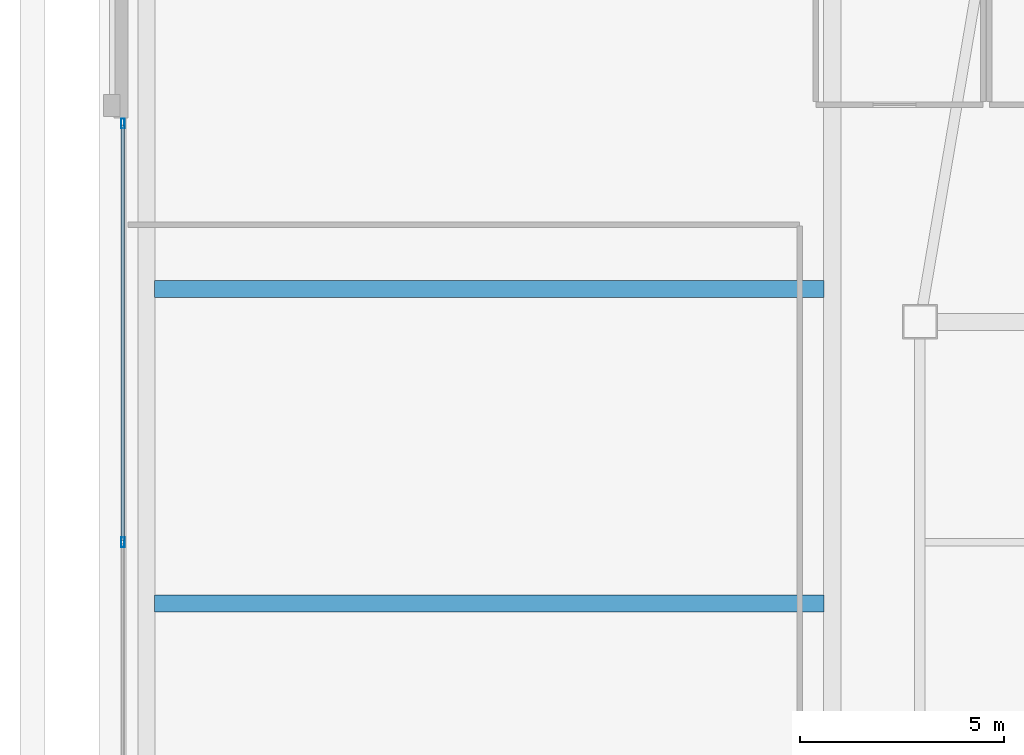
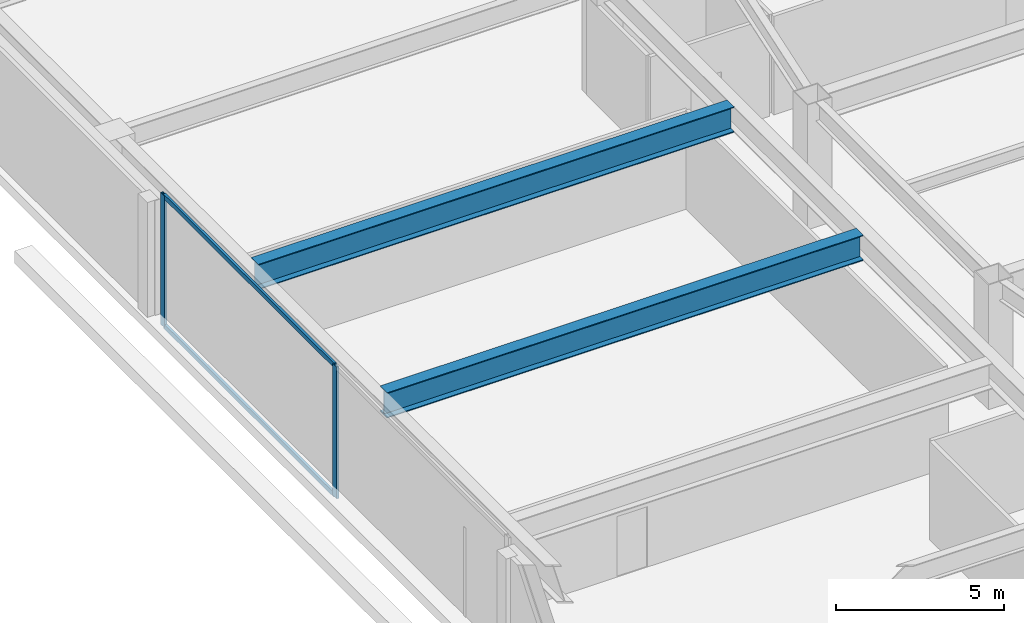
# One storey, part 12 of 44: 4 members, 2 beams, 1 element without a shape of its own.
"""IFC4 building model written with IfcOpenShell, lengths in metres."""

import ifcopenshell
import ifcopenshell.guid

model = None  # the IFC model being written
_history = None  # IfcOwnerHistory: only IFC2X3 demands one
_inside = {}  # id of a spatial element -> (the spatial element, [elements in it])
_under = {}  # id of a project, library or spatial element -> (it, [spatial elements below it])
_declared = {}  # id of a project -> (the project, [libraries it declares])
_typed = {}  # id of a type object -> (the type object, [elements of that type])
_made_of = {}  # id of a material, layer set ... -> (it, [elements and type objects made of it])


def new_model(schema):
    """Start an empty IFC model of exactly this schema.

    Asked for "IFC4X3", IfcOpenShell would pick the latest addendum, in which some entities
    have other attributes; the version numbers below select the first issue.
    IFC2X3 requires an IfcOwnerHistory on every rooted entity: one is made here for all.
    """
    global model, _history
    if schema == "IFC4X3":
        model = ifcopenshell.file(schema_version=(4, 3, 0, 0))
    else:
        model = ifcopenshell.file(schema=schema)
    _inside.clear()
    _under.clear()
    _declared.clear()
    _typed.clear()
    _made_of.clear()
    _history = None
    if model.schema == "IFC2X3":
        org = make("IfcOrganization", Name="unknown")
        user = make(
            "IfcPersonAndOrganization",
            ThePerson=make("IfcPerson", FamilyName="unknown"),
            TheOrganization=org,
        )
        app = make(
            "IfcApplication",
            ApplicationDeveloper=org,
            Version="unknown",
            ApplicationFullName="unknown",
            ApplicationIdentifier="unknown",
        )
        _history = make(
            "IfcOwnerHistory",
            OwningUser=user,
            OwningApplication=app,
            ChangeAction="ADDED",
            CreationDate=0,
        )
    return model


def make(cls, **values):
    """One entity of the class cls with the attributes given. An attribute that is None is left unset."""
    return model.create_entity(
        cls, **{name: value for name, value in values.items() if value is not None}
    )


def rooted(cls, **values):
    """An entity with a GlobalId (a new one), such as an element, a storey or a relation."""
    return make(cls, GlobalId=ifcopenshell.guid.new(), OwnerHistory=_history, **values)


def si_unit(unit_type, name, prefix=None):
    """IfcSIUnit, for example si_unit("LENGTHUNIT", "METRE", prefix="MILLI")."""
    return make("IfcSIUnit", UnitType=unit_type, Prefix=prefix, Name=name)


def assignment(units):
    """IfcUnitAssignment: the units of a project."""
    return None if units is None else make("IfcUnitAssignment", Units=units)


def point(xyz):
    """IfcCartesianPoint."""
    return None if xyz is None else make("IfcCartesianPoint", Coordinates=xyz)


def direction(xyz):
    """IfcDirection."""
    return None if xyz is None else make("IfcDirection", DirectionRatios=xyz)


def frame(location, z_axis=None, x_axis=None):
    """IfcAxis2Placement3D, a coordinate frame: its origin and axes. An axis left out is left unset."""
    return make(
        "IfcAxis2Placement3D",
        Location=point(location),
        Axis=direction(z_axis),
        RefDirection=direction(x_axis),
    )


def frame_2d(location, x_axis=None):
    """IfcAxis2Placement2D, a coordinate frame in the plane: its origin and x axis."""
    return make(
        "IfcAxis2Placement2D", Location=point(location), RefDirection=direction(x_axis)
    )


def origin():
    """The frame at (0, 0, 0) with its axes left unset."""
    return frame((0.0, 0.0, 0.0))


def origin_2d():
    """The frame at (0, 0) in the plane with its x axis left unset."""
    return frame_2d((0.0, 0.0))


def place(relative_to, where):
    """IfcLocalPlacement: puts the frame where relative to a parent placement (None: the world)."""
    return make(
        "IfcLocalPlacement", PlacementRelTo=relative_to, RelativePlacement=where
    )


def context(
    kind, dimensions, precision=None, world=None, true_north=None, identifier=None
):
    """IfcGeometricRepresentationContext, for example the 3D "Model" context."""
    return make(
        "IfcGeometricRepresentationContext",
        ContextIdentifier=identifier,
        ContextType=kind,
        CoordinateSpaceDimension=dimensions,
        Precision=precision,
        WorldCoordinateSystem=world,
        TrueNorth=true_north,
    )


def subcontext(parent, identifier, kind, view, scale=None):
    """IfcGeometricRepresentationSubContext, for example "Body" below "Model"."""
    return make(
        "IfcGeometricRepresentationSubContext",
        ContextIdentifier=identifier,
        ContextType=kind,
        ParentContext=parent,
        TargetScale=scale,
        TargetView=view,
    )


def project(units=None, contexts=None):
    """IfcProject with its units and contexts."""
    return rooted(
        "IfcProject",
        Name="project",
        RepresentationContexts=contexts,
        UnitsInContext=assignment(units),
    )


def spatial(cls, under=None, at=None, **own):
    """A site, building, storey or space (cls), placed at a placement, below another one or the project."""
    s = rooted(cls, ObjectPlacement=at, **own)
    if under is not None:
        _under.setdefault(under.id(), (under, []))[1].append(s)
    return s


def profile(cls, at=None, kind="AREA", **sizes):
    """A parametric profile (cls). Its sizes go by their IFC names, for example OverallWidth=200.0."""
    return make(cls, ProfileType=kind, Position=at, **sizes)


def hollow_rectangle(**sizes):
    """IfcRectangleHollowProfileDef."""
    return profile("IfcRectangleHollowProfileDef", **sizes)


def i_section(**sizes):
    """IfcIShapeProfileDef."""
    return profile("IfcIShapeProfileDef", **sizes)


def extrude(swept, where, along, depth):
    """IfcExtrudedAreaSolid: the profile swept, set in the frame where, extruded along a direction by depth."""
    return make(
        "IfcExtrudedAreaSolid",
        SweptArea=swept,
        Position=where,
        ExtrudedDirection=direction(along),
        Depth=depth,
    )


def shape(context_of_items, identifier, shape_type, items):
    """IfcShapeRepresentation: the items that make up one representation, for example the "Body"."""
    return make(
        "IfcShapeRepresentation",
        ContextOfItems=context_of_items,
        RepresentationIdentifier=identifier,
        RepresentationType=shape_type,
        Items=items,
    )


def material(Name=None, Category=None):
    """IfcMaterial."""
    return make("IfcMaterial", Name=Name, Category=Category)


def material_profile(
    of_material, cross_section, Name=None, Category=None, Priority=None
):
    """IfcMaterialProfile: a cross section and its material."""
    return make(
        "IfcMaterialProfile",
        Name=Name,
        Material=of_material,
        Profile=cross_section,
        Priority=Priority,
        Category=Category,
    )


def profile_set(profiles, Name=None, composite=None):
    """IfcMaterialProfileSet."""
    return make(
        "IfcMaterialProfileSet",
        Name=Name,
        MaterialProfiles=profiles,
        CompositeProfile=composite,
    )


def made_of(thing, what):
    """Note that an element or type object is made of a material, layer set ...; save() writes the relation."""
    if what is not None:
        _made_of.setdefault(what.id(), (what, []))[1].append(thing)
    return thing


def type_object(cls, material=None, **own):
    """A type object (cls), such as IfcWallType, which elements share."""
    return made_of(rooted(cls, **own), material)


def element(
    cls,
    number,
    at=None,
    inside=None,
    cuts=None,
    type_object=None,
    material=None,
    context=None,
    identifier="Body",
    shape_type=None,
    held_by="IfcProductDefinitionShape",
    body=None,
    shapes=None,
    **own,
):
    """One element of the class cls, such as IfcWall. Its Tag is "e" and its number.

    at: its placement. inside: the storey or other place that contains it. cuts: it is an
    opening in that element (IfcRelVoidsElement). A single representation is given by context,
    identifier, shape_type and body (its items); several are given by shapes. held_by: the class
    of the entity that holds the representations. save() writes the other relations.
    """
    e = rooted(cls, Tag="e%d" % number, ObjectPlacement=at, **own)
    if body is not None:
        shapes = [shape(context, identifier, shape_type, body)]
    if shapes is not None:
        e.Representation = make(held_by, Representations=shapes)
    if inside is not None:
        _inside.setdefault(inside.id(), (inside, []))[1].append(e)
    if cuts is not None:
        rooted(
            "IfcRelVoidsElement", RelatingBuildingElement=cuts, RelatedOpeningElement=e
        )
    if type_object is not None:
        _typed.setdefault(type_object.id(), (type_object, []))[1].append(e)
    return made_of(e, material)


def aggregate(whole, parts):
    """IfcRelAggregates: a whole, such as a stair, and the parts it consists of."""
    return rooted("IfcRelAggregates", RelatingObject=whole, RelatedObjects=parts)


def save(model, path):
    """Write the relations noted so far, then the file.

    IfcRelAggregates (storeys below a building ...), IfcRelContainedInSpatialStructure (elements
    in a storey), IfcRelDefinesByType, IfcRelAssociatesMaterial and IfcRelDeclares: one each for
    every whole, place, type object, material and project.
    """
    for whole, parts in _under.values():
        aggregate(whole, parts)
    for where, things in _inside.values():
        rooted(
            "IfcRelContainedInSpatialStructure",
            RelatedElements=things,
            RelatingStructure=where,
        )
    for kind, things in _typed.values():
        rooted("IfcRelDefinesByType", RelatedObjects=things, RelatingType=kind)
    for what, things in _made_of.values():
        rooted("IfcRelAssociatesMaterial", RelatedObjects=things, RelatingMaterial=what)
    for by, libraries in _declared.values():
        rooted("IfcRelDeclares", RelatingContext=by, RelatedDefinitions=libraries)
    model.write(path)


model = new_model("IFC4")

# Units and contexts
model_context = context("Model", 3, precision=1e-05, world=origin(), true_north=direction((0.0, 1.0)))
body_context = subcontext(model_context, "Body", "Model", "MODEL_VIEW")
ifc_project = project(units=[si_unit("LENGTHUNIT", "METRE"), si_unit("AREAUNIT", "SQUARE_METRE"), si_unit("VOLUMEUNIT", "CUBIC_METRE"), si_unit("PLANEANGLEUNIT", "RADIAN"), si_unit("MASSUNIT", "GRAM", prefix="KILO")], contexts=[model_context])

# Site, building, storey
site_placement = place(None, origin())
site = spatial("IfcSite", under=ifc_project, at=site_placement, CompositionType="ELEMENT")
building_placement = place(site_placement, origin())
building = spatial("IfcBuilding", under=site, at=building_placement, Name="Tashvorn Skyway Center", CompositionType="ELEMENT")
storey_placement = place(building_placement, frame((0.0, 0.0, 5.39990234375)))
storey = spatial("IfcBuildingStorey", under=building, at=storey_placement, Name="L01", CompositionType="ELEMENT", Elevation=5.39990234375)

# Beams
ifc_material_1 = material(Name="Steel ASTM A913 Grade 65", Category="steel")
ifc_material_profile_1 = material_profile(ifc_material_1, i_section(OverallWidth=0.4189453125, OverallDepth=0.927001953125, WebThickness=0.019287109375, FlangeThickness=0.031982421875, at=origin_2d()), Name="W36X231")
ifc_profile_set_1 = profile_set([ifc_material_profile_1], Name="Steel ASTM A913 Grade 65")
beam_type = type_object("IfcBeamType", Name="BM-BEAM-W36X231", PredefinedType="BEAM", material=ifc_profile_set_1)
for number, where, z_axis, x_axis, name in (
    (1, (1.00146484375, 30.5, 4.07666015625), (1.0, 0.0, 0.0), (0.0, 1.0, 0.0), "L01 West Auditorium Span Girder 05"),
    (2, (1.00146484375, 38.199951171875, 4.07666015625), (1.0, 0.0, 0.0), (0.0, 1.0, 0.0), "L01 West Auditorium Span Girder 06"),
):
    element("IfcBeam", number, at=place(storey_placement, frame(where, z_axis=z_axis, x_axis=x_axis)), inside=storey, type_object=beam_type, Name=name, PredefinedType="BEAM", context=body_context, shape_type="SweptSolid", body=[
        extrude(i_section(OverallWidth=0.4189453125, OverallDepth=0.927001953125, WebThickness=0.019287109375, FlangeThickness=0.031982421875, at=origin_2d()), origin(), (0.0, 0.0, 1.0), 16.39697265625),
    ])

# Curtain wall, members
ifc_material_2 = material(Name="Thermally broken bronze-anodized aluminium 6063-T6", Category="aluminium")
curtain_wall_type = type_object("IfcCurtainWallType", Name="CW-CW-Z1", PredefinedType="NOTDEFINED", material=ifc_material_2)
curtain_wall_placement = place(storey_placement, origin())
curtain_wall = element("IfcCurtainWall", 3, at=curtain_wall_placement, inside=storey, type_object=curtain_wall_type, Name="L01 West Station Hall Portal Curtain Wall", PredefinedType="NOTDEFINED")
ifc_material_profile_2 = material_profile(ifc_material_2, hollow_rectangle(XDim=0.0849609375, YDim=0.239990234375, WallThickness=0.0048828125, at=origin_2d()), Name="ALU-MULL-85x240")
ifc_profile_set_2 = profile_set([ifc_material_profile_2], Name="Thermally broken bronze-anodized aluminium 6063-T6")
member_type_1 = type_object("IfcMemberType", Name="CWM-CW-Z1", PredefinedType="MULLION", material=ifc_profile_set_2)
member_1_placement = place(storey_placement, frame((0.219970703125, 32.0, 0.0), z_axis=(0.0, 0.0, 1.0), x_axis=(-1.0, 0.0, 0.0)))
member_1 = element("IfcMember", 4, at=member_1_placement, type_object=member_type_1, Name="CW-Z1 mullion 2", PredefinedType="MULLION", context=body_context, shape_type="SweptSolid", body=[
    extrude(hollow_rectangle(XDim=0.0849609375, YDim=0.239990234375, WallThickness=0.0048828125, at=origin_2d()), origin(), (0.0, 0.0, 1.0), 4.800048828125),
])
member_2_placement = place(storey_placement, frame((0.219970703125, 42.257568359375, 0.0), z_axis=(0.0, 0.0, 1.0), x_axis=(-1.0, 0.0, 0.0)))
member_2 = element("IfcMember", 5, at=member_2_placement, type_object=member_type_1, Name="CW-Z1 mullion 3", PredefinedType="MULLION", context=body_context, shape_type="SweptSolid", body=[
    extrude(hollow_rectangle(XDim=0.0849609375, YDim=0.239990234375, WallThickness=0.0048828125, at=origin_2d()), origin(), (0.0, 0.0, 1.0), 4.800048828125),
])
ifc_material_profile_3 = material_profile(ifc_material_2, hollow_rectangle(XDim=0.0849609375, YDim=0.1650390625, WallThickness=0.0048828125, at=origin_2d()), Name="ALU-TRAN-85x165")
ifc_profile_set_3 = profile_set([ifc_material_profile_3], Name="Thermally broken bronze-anodized aluminium 6063-T6")
member_type_2 = type_object("IfcMemberType", Name="CWT-CW-Z1", PredefinedType="USERDEFINED", material=ifc_profile_set_3)
member_3_placement = place(storey_placement, frame((0.219970703125, 32.04248046875, 0.04248046875), z_axis=(0.0, 1.0, 0.0), x_axis=(-1.0, 0.0, 0.0)))
member_3 = element("IfcMember", 6, at=member_3_placement, type_object=member_type_2, Name="CW-Z1 transom 2.1", ObjectType="TRANSOM", PredefinedType="USERDEFINED", context=body_context, shape_type="SweptSolid", body=[
    extrude(hollow_rectangle(XDim=0.0849609375, YDim=0.1650390625, WallThickness=0.0048828125, at=origin_2d()), origin(), (0.0, 0.0, 1.0), 10.172607421875),
])
member_4_placement = place(storey_placement, frame((0.219970703125, 32.04248046875, 4.757568359375), z_axis=(0.0, 1.0, 0.0), x_axis=(-1.0, 0.0, 0.0)))
member_4 = element("IfcMember", 7, at=member_4_placement, type_object=member_type_2, Name="CW-Z1 transom 2.2", ObjectType="TRANSOM", PredefinedType="USERDEFINED", context=body_context, shape_type="SweptSolid", body=[
    extrude(hollow_rectangle(XDim=0.0849609375, YDim=0.1650390625, WallThickness=0.0048828125, at=origin_2d()), origin(), (0.0, 0.0, 1.0), 10.172607421875),
])
aggregate(curtain_wall, [member_1, member_2, member_3, member_4])

save(model, "model.ifc")
